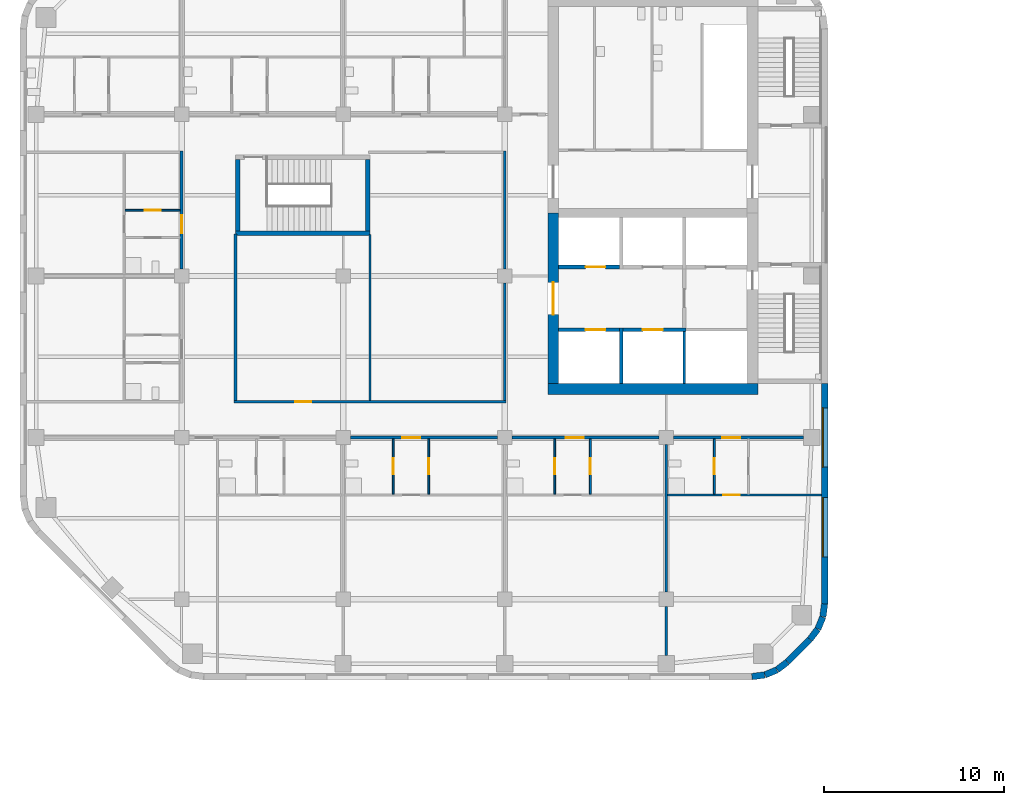
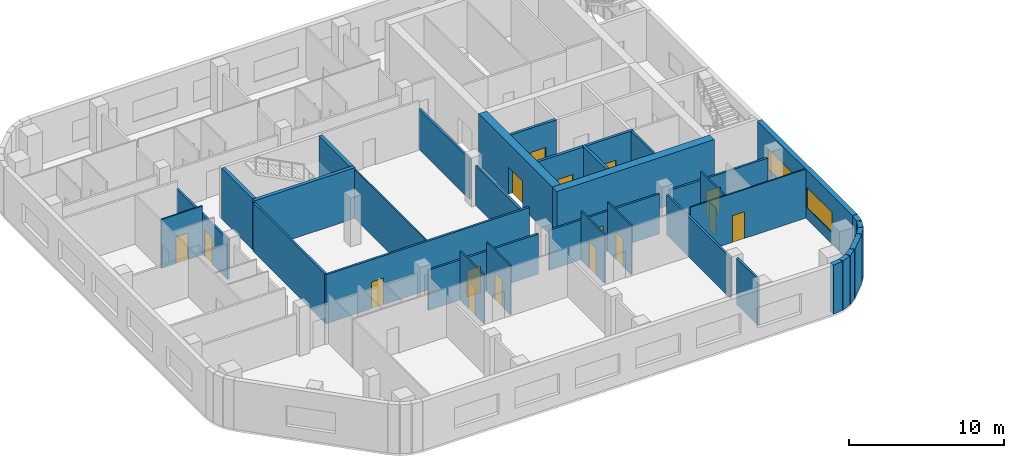
# One storey, part 6 of 16: 36 walls, 16 doors, 2 windows, 18 openings.
"""IFC4 building model written with IfcOpenShell, lengths in metres."""

from ifc_helpers import new_model, si_unit, direction, frame, frame_2d, origin, place, context, subcontext, project, spatial, rectangle, extrude, material, layer, layer_set, type_object, element, fill, save


model = new_model("IFC4")

# Units and contexts
model_context = context("Model", 3, precision=1e-05, world=origin(), true_north=direction((0.0, 1.0)))
body_context = subcontext(model_context, "Body", "Model", "MODEL_VIEW")
ifc_project = project(units=[si_unit("LENGTHUNIT", "METRE"), si_unit("AREAUNIT", "SQUARE_METRE"), si_unit("VOLUMEUNIT", "CUBIC_METRE"), si_unit("PLANEANGLEUNIT", "RADIAN"), si_unit("MASSUNIT", "GRAM", prefix="KILO")], contexts=[model_context])

# Site, building, storey
site_placement = place(None, origin())
site = spatial("IfcSite", under=ifc_project, at=site_placement, CompositionType="ELEMENT")
building_placement = place(site_placement, origin())
building = spatial("IfcBuilding", under=site, at=building_placement, Name="Cinnabar Reach Civic Tower", CompositionType="ELEMENT")
storey_placement = place(building_placement, frame((0.0, 0.0, 30.0)))
storey = spatial("IfcBuildingStorey", under=building, at=storey_placement, Name="L06", CompositionType="ELEMENT", Elevation=30.0)

# Walls
ifc_material_1 = material(Name="Facing brick with insulated backing", Category="masonry")
ifc_layer_1 = layer(ifc_material_1, 0.36)
ifc_layer_set_1 = layer_set([ifc_layer_1], Name="Brick corner wall")
wall_type_1 = type_object("IfcWallType", Name="Brick corner wall", PredefinedType="STANDARD", material=ifc_layer_set_1)
for number, where, z_axis, x_axis, name in (
    (1, (-31.2314, 4.683, 0.0), (0.0, 0.0, 1.0), (0.99144092581, 0.13055608231, 0.0), "Brick corner wall"),
    (2, (-30.5027, 4.7819, 0.0), (0.0, 0.0, 1.0), (0.923871547278, 0.382702709855, 0.0), "Brick corner wall"),
):
    element("IfcWall", number, at=place(storey_placement, frame(where, z_axis=z_axis, x_axis=x_axis)), inside=storey, type_object=wall_type_1, Name=name, PredefinedType="STANDARD", context=body_context, shape_type="SweptSolid", body=[
        extrude(rectangle(XDim=0.7131, YDim=0.36, at=frame_2d((0.3565, 0.0))), origin(), (0.0, 0.0, 1.0), 3.85),
    ])
for number, where, z_axis, x_axis, name in (
    (3, (-29.8245, 5.066, 0.0), (0.0, 0.0, 1.0), (0.793321924995, 0.608802368033, 0.0), "Brick corner wall"),
    (4, (-28.0002, 6.7587, 0.0), (0.0, 0.0, 1.0), (0.608802368033, 0.793321924995, 0.0), "Brick corner wall"),
):
    element("IfcWall", number, at=place(storey_placement, frame(where, z_axis=z_axis, x_axis=x_axis)), inside=storey, type_object=wall_type_1, Name=name, PredefinedType="STANDARD", context=body_context, shape_type="SweptSolid", body=[
        extrude(rectangle(XDim=0.7132, YDim=0.36, at=frame_2d((0.3566, 0.0))), origin(), (0.0, 0.0, 1.0), 3.85),
    ])
for number, where, z_axis, x_axis, name in (
    (5, (-27.5548, 7.3439, 0.0), (0.0, 0.0, 1.0), (0.382702709855, 0.923871547278, 0.0), "Brick corner wall"),
    (6, (-27.2761, 8.0244, 0.0), (0.0, 0.0, 1.0), (0.13055608231, 0.99144092581, 0.0), "Brick corner wall"),
):
    element("IfcWall", number, at=place(storey_placement, frame(where, z_axis=z_axis, x_axis=x_axis)), inside=storey, type_object=wall_type_1, Name=name, PredefinedType="STANDARD", context=body_context, shape_type="SweptSolid", body=[
        extrude(rectangle(XDim=0.7131, YDim=0.36, at=frame_2d((0.3565, 0.0))), origin(), (0.0, 0.0, 1.0), 3.85),
    ])
ifc_layer_2 = layer(ifc_material_1, 0.36)
ifc_layer_set_2 = layer_set([ifc_layer_2], Name="Brick pier and spandrel wall")
wall_type_2 = type_object("IfcWallType", Name="Brick pier and spandrel wall", PredefinedType="STANDARD", material=ifc_layer_set_2)
wall_1_placement = place(storey_placement, frame((-29.2486, 5.506, 0.0), z_axis=(0.0, 0.0, 1.0), x_axis=(0.707106781187, 0.707106781187, 0.0)))
element("IfcWall", 7, at=wall_1_placement, inside=storey, type_object=wall_type_2, Name="Brick facade wall", PredefinedType="STANDARD", context=body_context, shape_type="SweptSolid", body=[
    extrude(rectangle(XDim=1.7573, YDim=0.36, at=frame_2d((0.8787, 0.0))), origin(), (0.0, 0.0, 1.0), 3.85),
])

# Wall, openings, windows
wall_2_placement = place(storey_placement, frame((-27.18, 8.7426, 0.0), z_axis=(0.0, 0.0, 1.0), x_axis=(0.0, 1.0, 0.0)))
wall_2 = element("IfcWall", 8, at=wall_2_placement, inside=storey, type_object=wall_type_2, Name="Brick facade wall", PredefinedType="STANDARD", context=body_context, shape_type="SweptSolid", body=[
    extrude(rectangle(XDim=12.2574, YDim=0.36, at=frame_2d((6.1287, 0.0))), origin(), (0.0, 0.0, 1.0), 3.85),
])
opening_1_placement = place(wall_2_placement, frame((2.6074, 0.0, 0.9)))
opening_1 = element("IfcOpeningElement", 9, at=opening_1_placement, cuts=wall_2, Name="Opening W2378", PredefinedType="OPENING", context=body_context, shape_type="SweptSolid", body=[
    extrude(rectangle(XDim=3.3, YDim=1.6, at=frame_2d((1.65, 0.8))), frame((0.0, 0.19, 0.0), z_axis=(0.0, -1.0, 0.0), x_axis=(1.0, 0.0, 0.0)), (0.0, 0.0, 1.0), 0.38),
])
opening_2_placement = place(wall_2_placement, frame((7.6074, 0.0, 0.9)))
opening_2 = element("IfcOpeningElement", 10, at=opening_2_placement, cuts=wall_2, Name="Opening W2379", PredefinedType="OPENING", context=body_context, shape_type="SweptSolid", body=[
    extrude(rectangle(XDim=3.3, YDim=1.6, at=frame_2d((1.65, 0.8))), frame((0.0, 0.19, 0.0), z_axis=(0.0, -1.0, 0.0), x_axis=(1.0, 0.0, 0.0)), (0.0, 0.0, 1.0), 0.38),
])
ifc_material_2 = material(Name="Clear double glazing in aluminium frame", Category="aluminium")
window_type = type_object("IfcWindowType", Name="Deep-set window A", PartitioningType="SINGLE_PANEL", PredefinedType="WINDOW", material=ifc_material_2)
window_1_placement = place(opening_1_placement, origin())
window_1 = element("IfcWindow", 11, at=window_1_placement, inside=storey, type_object=window_type, Name="Window east face", OverallHeight=1.6, OverallWidth=3.3, PartitioningType="SINGLE_PANEL", PredefinedType="WINDOW", context=body_context, shape_type="SweptSolid", body=[
    extrude(rectangle(XDim=3.3, YDim=1.6, at=frame_2d((1.65, 0.8))), frame((0.0, 0.13, 0.0), z_axis=(0.0, -1.0, 0.0), x_axis=(1.0, 0.0, 0.0)), (0.0, 0.0, 1.0), 0.06),
])
fill(opening_1, window_1)
window_2_placement = place(opening_2_placement, origin())
window_2 = element("IfcWindow", 12, at=window_2_placement, inside=storey, type_object=window_type, Name="Window east face", OverallHeight=1.6, OverallWidth=3.3, PartitioningType="SINGLE_PANEL", PredefinedType="WINDOW", context=body_context, shape_type="SweptSolid", body=[
    extrude(rectangle(XDim=3.3, YDim=1.6, at=frame_2d((1.65, 0.8))), frame((0.0, 0.13, 0.0), z_axis=(0.0, -1.0, 0.0), x_axis=(1.0, 0.0, 0.0)), (0.0, 0.0, 1.0), 0.06),
])
fill(opening_2, window_2)

# Wall
ifc_material_3 = material(Name="Concrete C70", Category="concrete")
ifc_layer_3 = layer(ifc_material_3, 0.6)
ifc_layer_set_3 = layer_set([ifc_layer_3], Name="Core wall 600 EI 180")
wall_type_3 = type_object("IfcWallType", Name="Core wall 600 EI 180", PredefinedType="SOLIDWALL", material=ifc_layer_set_3)
wall_3_placement = place(storey_placement, frame((-42.6, 20.7, 0.0), z_axis=(0.0, 0.0, 1.0), x_axis=(1.0, 0.0, 0.0)))
element("IfcWall", 13, at=wall_3_placement, inside=storey, type_object=wall_type_3, Name="Core wall T2 L06 S", PredefinedType="SOLIDWALL", context=body_context, shape_type="SweptSolid", body=[
    extrude(rectangle(XDim=11.7, YDim=0.6, at=frame_2d((5.85, 0.0))), origin(), (0.0, 0.0, 1.0), 4.0),
])

# Wall, opening, door
wall_4_placement = place(storey_placement, frame((-42.3, 30.5, 0.0), z_axis=(0.0, 0.0, 1.0), x_axis=(0.0, -1.0, 0.0)))
wall_4 = element("IfcWall", 14, at=wall_4_placement, inside=storey, type_object=wall_type_3, Name="Core wall T2 L06 W2", PredefinedType="SOLIDWALL", context=body_context, shape_type="SweptSolid", body=[
    extrude(rectangle(XDim=9.5, YDim=0.6, at=frame_2d((4.75, 0.0))), origin(), (0.0, 0.0, 1.0), 4.0),
])
opening_3_placement = place(wall_4_placement, frame((3.85, 0.0, 0.0)))
opening_3 = element("IfcOpeningElement", 15, at=opening_3_placement, cuts=wall_4, Name="Opening D6157", PredefinedType="OPENING", context=body_context, shape_type="SweptSolid", body=[
    extrude(rectangle(XDim=1.8, YDim=2.1, at=frame_2d((0.9, 1.05))), frame((0.0, 0.31, 0.0), z_axis=(0.0, -1.0, 0.0), x_axis=(1.0, 0.0, 0.0)), (0.0, 0.0, 1.0), 0.62),
])
ifc_material_4 = material(Name="Steel fire door", Category="steel")
door_type_1 = type_object("IfcDoorType", Name="T2 Double door 1800", OperationType="DOUBLE_DOOR_SINGLE_SWING", PredefinedType="DOOR", material=ifc_material_4)
door_1_placement = place(opening_3_placement, origin())
door_1 = element("IfcDoor", 16, at=door_1_placement, inside=storey, type_object=door_type_1, Name="T2 Double door D6157", OperationType="DOUBLE_DOOR_SINGLE_SWING", OverallHeight=2.1, OverallWidth=1.8, PredefinedType="DOOR", context=body_context, shape_type="SweptSolid", body=[
    extrude(rectangle(XDim=1.8, YDim=2.1, at=frame_2d((0.9, 1.05))), frame((0.0, 0.025, 0.0), z_axis=(0.0, -1.0, 0.0), x_axis=(1.0, 0.0, 0.0)), (0.0, 0.0, 1.0), 0.05),
])
fill(opening_3, door_1)

ifc_material_5 = material(Name="Gypsum board on steel studs, double layer", Category="steel")
ifc_layer_4 = layer(ifc_material_5, 0.15)
ifc_layer_set_4 = layer_set([ifc_layer_4], Name="Corridor wall 150 T2")
wall_type_4 = type_object("IfcWallType", Name="Corridor wall 150 T2", PredefinedType="PARTITIONING", material=ifc_layer_set_4)
wall_5_placement = place(storey_placement, frame((-35.6, 18.0, 0.0), z_axis=(0.0, 0.0, 1.0), x_axis=(1.0, 0.0, 0.0)))
wall_5 = element("IfcWall", 17, at=wall_5_placement, inside=storey, type_object=wall_type_4, Name="Corridor wall 1", PredefinedType="PARTITIONING", context=body_context, shape_type="SweptSolid", body=[
    extrude(rectangle(XDim=7.25, YDim=0.15, at=frame_2d((3.625, 0.0))), origin(), (0.0, 0.0, 1.0), 3.15),
])
opening_4_placement = place(wall_5_placement, frame((2.7284, 0.0, 0.0)))
opening_4 = element("IfcOpeningElement", 18, at=opening_4_placement, cuts=wall_5, Name="Opening D6179", PredefinedType="OPENING", context=body_context, shape_type="SweptSolid", body=[
    extrude(rectangle(XDim=1.0, YDim=2.1, at=frame_2d((0.5, 1.05))), frame((0.0, 0.085, 0.0), z_axis=(0.0, -1.0, 0.0), x_axis=(1.0, 0.0, 0.0)), (0.0, 0.0, 1.0), 0.17),
])
ifc_material_6 = material(Name="Timber door leaf in steel frame", Category="steel")
door_type_2 = type_object("IfcDoorType", Name="Tenancy entrance door 1000 x 2100 T2", OperationType="SINGLE_SWING_LEFT", PredefinedType="DOOR", material=ifc_material_6)
door_2_placement = place(opening_4_placement, frame((1.0, 0.0, 0.0), z_axis=(0.0, 0.0, 1.0), x_axis=(-1.0, 0.0, 0.0)))
door_2 = element("IfcDoor", 19, at=door_2_placement, inside=storey, type_object=door_type_2, Name="Door D6179", OperationType="SINGLE_SWING_RIGHT", OverallHeight=2.1, OverallWidth=1.0, PredefinedType="DOOR", context=body_context, shape_type="SweptSolid", body=[
    extrude(rectangle(XDim=1.0, YDim=2.1, at=frame_2d((0.5, 1.05))), frame((0.0, 0.025, 0.0), z_axis=(0.0, -1.0, 0.0), x_axis=(1.0, 0.0, 0.0)), (0.0, 0.0, 1.0), 0.05),
])
fill(opening_4, door_2)

wall_6_placement = place(storey_placement, frame((-44.6, 18.0, 0.0), z_axis=(0.0, 0.0, 1.0), x_axis=(1.0, 0.0, 0.0)))
wall_6 = element("IfcWall", 20, at=wall_6_placement, inside=storey, type_object=wall_type_4, Name="Corridor wall 2", PredefinedType="PARTITIONING", context=body_context, shape_type="SweptSolid", body=[
    extrude(rectangle(XDim=8.2, YDim=0.15, at=frame_2d((4.1, 0.0))), origin(), (0.0, 0.0, 1.0), 3.15),
])
opening_5_placement = place(wall_6_placement, frame((3.0, 0.0, 0.0)))
opening_5 = element("IfcOpeningElement", 21, at=opening_5_placement, cuts=wall_6, Name="Opening D6175", PredefinedType="OPENING", context=body_context, shape_type="SweptSolid", body=[
    extrude(rectangle(XDim=1.0, YDim=2.1, at=frame_2d((0.5, 1.05))), frame((0.0, 0.085, 0.0), z_axis=(0.0, -1.0, 0.0), x_axis=(1.0, 0.0, 0.0)), (0.0, 0.0, 1.0), 0.17),
])
door_3_placement = place(opening_5_placement, frame((1.0, 0.0, 0.0), z_axis=(0.0, 0.0, 1.0), x_axis=(-1.0, 0.0, 0.0)))
door_3 = element("IfcDoor", 22, at=door_3_placement, inside=storey, type_object=door_type_2, Name="Door D6175", OperationType="SINGLE_SWING_LEFT", OverallHeight=2.1, OverallWidth=1.0, PredefinedType="DOOR", context=body_context, shape_type="SweptSolid", body=[
    extrude(rectangle(XDim=1.0, YDim=2.1, at=frame_2d((0.5, 1.05))), frame((0.0, 0.025, 0.0), z_axis=(0.0, -1.0, 0.0), x_axis=(1.0, 0.0, 0.0)), (0.0, 0.0, 1.0), 0.05),
])
fill(opening_5, door_3)

wall_7_placement = place(storey_placement, frame((-53.6, 18.0, 0.0), z_axis=(0.0, 0.0, 1.0), x_axis=(1.0, 0.0, 0.0)))
wall_7 = element("IfcWall", 23, at=wall_7_placement, inside=storey, type_object=wall_type_4, Name="Corridor wall 3", PredefinedType="PARTITIONING", context=body_context, shape_type="SweptSolid", body=[
    extrude(rectangle(XDim=8.2, YDim=0.15, at=frame_2d((4.1, 0.0))), origin(), (0.0, 0.0, 1.0), 3.15),
])
opening_6_placement = place(wall_7_placement, frame((2.89, 0.0, 0.0)))
opening_6 = element("IfcOpeningElement", 24, at=opening_6_placement, cuts=wall_7, Name="Opening D6171", PredefinedType="OPENING", context=body_context, shape_type="SweptSolid", body=[
    extrude(rectangle(XDim=1.0, YDim=2.1, at=frame_2d((0.5, 1.05))), frame((0.0, 0.085, 0.0), z_axis=(0.0, -1.0, 0.0), x_axis=(1.0, 0.0, 0.0)), (0.0, 0.0, 1.0), 0.17),
])
door_4_placement = place(opening_6_placement, frame((1.0, 0.0, 0.0), z_axis=(0.0, 0.0, 1.0), x_axis=(-1.0, 0.0, 0.0)))
door_4 = element("IfcDoor", 25, at=door_4_placement, inside=storey, type_object=door_type_2, Name="Door D6171", OperationType="SINGLE_SWING_LEFT", OverallHeight=2.1, OverallWidth=1.0, PredefinedType="DOOR", context=body_context, shape_type="SweptSolid", body=[
    extrude(rectangle(XDim=1.0, YDim=2.1, at=frame_2d((0.5, 1.05))), frame((0.0, 0.025, 0.0), z_axis=(0.0, -1.0, 0.0), x_axis=(1.0, 0.0, 0.0)), (0.0, 0.0, 1.0), 0.05),
])
fill(opening_6, door_4)

wall_8_placement = place(storey_placement, frame((-60.075, 20.0, 0.0), z_axis=(0.0, 0.0, 1.0), x_axis=(1.0, 0.0, 0.0)))
wall_8 = element("IfcWall", 26, at=wall_8_placement, inside=storey, type_object=wall_type_4, Name="Corridor wall 10", PredefinedType="PARTITIONING", context=body_context, shape_type="SweptSolid", body=[
    extrude(rectangle(XDim=15.15, YDim=0.15, at=frame_2d((7.575, 0.0))), origin(), (0.0, 0.0, 1.0), 3.85),
])
opening_7_placement = place(wall_8_placement, frame((3.4, 0.0, 0.0)))
opening_7 = element("IfcOpeningElement", 27, at=opening_7_placement, cuts=wall_8, Name="Opening D6201", PredefinedType="OPENING", context=body_context, shape_type="SweptSolid", body=[
    extrude(rectangle(XDim=0.9, YDim=2.1, at=frame_2d((0.45, 1.05))), frame((0.0, 0.085, 0.0), z_axis=(0.0, -1.0, 0.0), x_axis=(1.0, 0.0, 0.0)), (0.0, 0.0, 1.0), 0.17),
])
door_type_3 = type_object("IfcDoorType", Name="Single swing door 900 x 2100 T2", OperationType="SINGLE_SWING_LEFT", PredefinedType="DOOR", material=ifc_material_6)
door_5_placement = place(opening_7_placement, origin())
door_5 = element("IfcDoor", 28, at=door_5_placement, inside=storey, type_object=door_type_3, Name="Door D6201", OperationType="SINGLE_SWING_LEFT", OverallHeight=2.1, OverallWidth=0.9, PredefinedType="DOOR", context=body_context, shape_type="SweptSolid", body=[
    extrude(rectangle(XDim=0.9, YDim=2.1, at=frame_2d((0.45, 1.05))), frame((0.0, 0.025, 0.0), z_axis=(0.0, -1.0, 0.0), x_axis=(1.0, 0.0, 0.0)), (0.0, 0.0, 1.0), 0.05),
])
fill(opening_7, door_5)

wall_9_placement = place(storey_placement, frame((-63.0, 27.4, 0.0), z_axis=(0.0, 0.0, 1.0), x_axis=(0.0, 1.0, 0.0)))
wall_9 = element("IfcWall", 29, at=wall_9_placement, inside=storey, type_object=wall_type_4, Name="Corridor wall 12", PredefinedType="PARTITIONING", context=body_context, shape_type="SweptSolid", body=[
    extrude(rectangle(XDim=6.575, YDim=0.15, at=frame_2d((3.2875, 0.0))), origin(), (0.0, 0.0, 1.0), 3.158),
])
opening_8_placement = place(wall_9_placement, frame((1.989, 0.0, 0.0)))
opening_8 = element("IfcOpeningElement", 30, at=opening_8_placement, cuts=wall_9, Name="Opening D6200", PredefinedType="OPENING", context=body_context, shape_type="SweptSolid", body=[
    extrude(rectangle(XDim=1.0, YDim=2.1, at=frame_2d((0.5, 1.05))), frame((0.0, 0.085, 0.0), z_axis=(0.0, -1.0, 0.0), x_axis=(1.0, 0.0, 0.0)), (0.0, 0.0, 1.0), 0.17),
])
door_6_placement = place(opening_8_placement, origin())
door_6 = element("IfcDoor", 31, at=door_6_placement, inside=storey, type_object=door_type_2, Name="Door D6200", OperationType="SINGLE_SWING_RIGHT", OverallHeight=2.1, OverallWidth=1.0, PredefinedType="DOOR", context=body_context, shape_type="SweptSolid", body=[
    extrude(rectangle(XDim=1.0, YDim=2.1, at=frame_2d((0.5, 1.05))), frame((0.0, 0.025, 0.0), z_axis=(0.0, -1.0, 0.0), x_axis=(1.0, 0.0, 0.0)), (0.0, 0.0, 1.0), 0.05),
])
fill(opening_8, door_6)

# Walls
wall_10_placement = place(storey_placement, frame((-45.0, 20.075, 0.0), z_axis=(0.0, 0.0, 1.0), x_axis=(0.0, 1.0, 0.0)))
element("IfcWall", 32, at=wall_10_placement, inside=storey, type_object=wall_type_4, Name="Corridor wall 13", PredefinedType="PARTITIONING", context=body_context, shape_type="SweptSolid", body=[
    extrude(rectangle(XDim=6.525, YDim=0.15, at=frame_2d((3.2625, 0.0))), origin(), (0.0, 0.0, 1.0), 3.158),
])
wall_11_placement = place(storey_placement, frame((-45.0, 27.4, 0.0), z_axis=(0.0, 0.0, 1.0), x_axis=(0.0, 1.0, 0.0)))
element("IfcWall", 33, at=wall_11_placement, inside=storey, type_object=wall_type_4, Name="Corridor wall 14", PredefinedType="PARTITIONING", context=body_context, shape_type="SweptSolid", body=[
    extrude(rectangle(XDim=6.575, YDim=0.15, at=frame_2d((3.2875, 0.0))), origin(), (0.0, 0.0, 1.0), 3.158),
])
wall_12_placement = place(storey_placement, frame((-60.0, 20.075, 0.0), z_axis=(0.0, 0.0, 1.0), x_axis=(0.0, 1.0, 0.0)))
element("IfcWall", 34, at=wall_12_placement, inside=storey, type_object=wall_type_4, Name="Corridor wall 15", PredefinedType="PARTITIONING", context=body_context, shape_type="SweptSolid", body=[
    extrude(rectangle(XDim=9.25, YDim=0.15, at=frame_2d((4.625, 0.0))), origin(), (0.0, 0.0, 1.0), 3.85),
])

# Wall, opening, door
ifc_material_7 = material(Name="Gypsum board on steel studs", Category="steel")
ifc_layer_5 = layer(ifc_material_7, 0.1)
ifc_layer_set_5 = layer_set([ifc_layer_5], Name="Partition wall 100 T2")
wall_type_5 = type_object("IfcWallType", Name="Partition wall 100 T2", PredefinedType="PARTITIONING", material=ifc_layer_set_5)
wall_13_placement = place(storey_placement, frame((-35.925, 14.8, 0.0), z_axis=(0.0, 0.0, 1.0), x_axis=(1.0, 0.0, 0.0)))
wall_13 = element("IfcWall", 35, at=wall_13_placement, inside=storey, type_object=wall_type_5, Name="Partition wall 31", PredefinedType="PARTITIONING", context=body_context, shape_type="SweptSolid", body=[
    extrude(rectangle(XDim=8.565, YDim=0.1, at=frame_2d((4.2825, 0.0))), origin(), (0.0, 0.0, 1.0), 3.85),
])
opening_9_placement = place(wall_13_placement, frame((3.1034, 0.0, 0.0)))
opening_9 = element("IfcOpeningElement", 36, at=opening_9_placement, cuts=wall_13, Name="Opening D6178", PredefinedType="OPENING", context=body_context, shape_type="SweptSolid", body=[
    extrude(rectangle(XDim=0.9, YDim=2.1, at=frame_2d((0.45, 1.05))), frame((0.0, 0.06, 0.0), z_axis=(0.0, -1.0, 0.0), x_axis=(1.0, 0.0, 0.0)), (0.0, 0.0, 1.0), 0.12),
])
door_7_placement = place(opening_9_placement, origin())
door_7 = element("IfcDoor", 37, at=door_7_placement, inside=storey, type_object=door_type_3, Name="Door D6178", OperationType="SINGLE_SWING_LEFT", OverallHeight=2.1, OverallWidth=0.9, PredefinedType="DOOR", context=body_context, shape_type="SweptSolid", body=[
    extrude(rectangle(XDim=0.9, YDim=2.1, at=frame_2d((0.45, 1.05))), frame((0.0, 0.025, 0.0), z_axis=(0.0, -1.0, 0.0), x_axis=(1.0, 0.0, 0.0)), (0.0, 0.0, 1.0), 0.05),
])
fill(opening_9, door_7)

# Wall
wall_14_placement = place(storey_placement, frame((-52.5, 20.075, 0.0), z_axis=(0.0, 0.0, 1.0), x_axis=(0.0, 1.0, 0.0)))
element("IfcWall", 38, at=wall_14_placement, inside=storey, type_object=wall_type_5, Name="Partition wall 39", PredefinedType="PARTITIONING", context=body_context, shape_type="SweptSolid", body=[
    extrude(rectangle(XDim=9.225, YDim=0.1, at=frame_2d((4.6125, 0.0))), origin(), (0.0, 0.0, 1.0), 3.85),
])

# Wall, opening, door
wall_15_placement = place(storey_placement, frame((-66.15, 30.657, 0.0), z_axis=(0.0, 0.0, 1.0), x_axis=(1.0, 0.0, 0.0)))
wall_15 = element("IfcWall", 39, at=wall_15_placement, inside=storey, type_object=wall_type_5, Name="Partition wall 46", PredefinedType="PARTITIONING", context=body_context, shape_type="SweptSolid", body=[
    extrude(rectangle(XDim=3.075, YDim=0.1, at=frame_2d((1.5375, 0.0))), origin(), (0.0, 0.0, 1.0), 3.85),
])
opening_10_placement = place(wall_15_placement, frame((1.1, 0.0, 0.0)))
opening_10 = element("IfcOpeningElement", 40, at=opening_10_placement, cuts=wall_15, Name="Opening D6198", PredefinedType="OPENING", context=body_context, shape_type="SweptSolid", body=[
    extrude(rectangle(XDim=0.9, YDim=2.1, at=frame_2d((0.45, 1.05))), frame((0.0, 0.06, 0.0), z_axis=(0.0, -1.0, 0.0), x_axis=(1.0, 0.0, 0.0)), (0.0, 0.0, 1.0), 0.12),
])
door_8_placement = place(opening_10_placement, frame((0.9, 0.0, 0.0), z_axis=(0.0, 0.0, 1.0), x_axis=(-1.0, 0.0, 0.0)))
door_8 = element("IfcDoor", 41, at=door_8_placement, inside=storey, type_object=door_type_3, Name="Door D6198", OperationType="SINGLE_SWING_RIGHT", OverallHeight=2.1, OverallWidth=0.9, PredefinedType="DOOR", context=body_context, shape_type="SweptSolid", body=[
    extrude(rectangle(XDim=0.9, YDim=2.1, at=frame_2d((0.45, 1.05))), frame((0.0, 0.025, 0.0), z_axis=(0.0, -1.0, 0.0), x_axis=(1.0, 0.0, 0.0)), (0.0, 0.0, 1.0), 0.05),
])
fill(opening_10, door_8)

wall_16_placement = place(storey_placement, frame((-51.21, 14.85, 0.0), z_axis=(0.0, 0.0, 1.0), x_axis=(0.0, 1.0, 0.0)))
wall_16 = element("IfcWall", 42, at=wall_16_placement, inside=storey, type_object=wall_type_5, Name="Partition wall 55", PredefinedType="PARTITIONING", context=body_context, shape_type="SweptSolid", body=[
    extrude(rectangle(XDim=3.075, YDim=0.1, at=frame_2d((1.5375, 0.0))), origin(), (0.0, 0.0, 1.0), 3.85),
])
opening_11_placement = place(wall_16_placement, frame((1.1, 0.0, 0.0)))
opening_11 = element("IfcOpeningElement", 43, at=opening_11_placement, cuts=wall_16, Name="Opening D6168", PredefinedType="OPENING", context=body_context, shape_type="SweptSolid", body=[
    extrude(rectangle(XDim=0.9, YDim=2.1, at=frame_2d((0.45, 1.05))), frame((0.0, 0.06, 0.0), z_axis=(0.0, -1.0, 0.0), x_axis=(1.0, 0.0, 0.0)), (0.0, 0.0, 1.0), 0.12),
])
door_9_placement = place(opening_11_placement, origin())
door_9 = element("IfcDoor", 44, at=door_9_placement, inside=storey, type_object=door_type_3, Name="Door D6168", OperationType="SINGLE_SWING_LEFT", OverallHeight=2.1, OverallWidth=0.9, PredefinedType="DOOR", context=body_context, shape_type="SweptSolid", body=[
    extrude(rectangle(XDim=0.9, YDim=2.1, at=frame_2d((0.45, 1.05))), frame((0.0, 0.025, 0.0), z_axis=(0.0, -1.0, 0.0), x_axis=(1.0, 0.0, 0.0)), (0.0, 0.0, 1.0), 0.05),
])
fill(opening_11, door_9)

wall_17_placement = place(storey_placement, frame((-49.23, 14.85, 0.0), z_axis=(0.0, 0.0, 1.0), x_axis=(0.0, 1.0, 0.0)))
wall_17 = element("IfcWall", 45, at=wall_17_placement, inside=storey, type_object=wall_type_5, Name="Partition wall 56", PredefinedType="PARTITIONING", context=body_context, shape_type="SweptSolid", body=[
    extrude(rectangle(XDim=3.075, YDim=0.1, at=frame_2d((1.5375, 0.0))), origin(), (0.0, 0.0, 1.0), 3.85),
])
opening_12_placement = place(wall_17_placement, frame((1.1, 0.0, 0.0)))
opening_12 = element("IfcOpeningElement", 46, at=opening_12_placement, cuts=wall_17, Name="Opening D6169", PredefinedType="OPENING", context=body_context, shape_type="SweptSolid", body=[
    extrude(rectangle(XDim=0.9, YDim=2.1, at=frame_2d((0.45, 1.05))), frame((0.0, 0.06, 0.0), z_axis=(0.0, -1.0, 0.0), x_axis=(1.0, 0.0, 0.0)), (0.0, 0.0, 1.0), 0.12),
])
door_10_placement = place(opening_12_placement, origin())
door_10 = element("IfcDoor", 47, at=door_10_placement, inside=storey, type_object=door_type_3, Name="Door D6169", OperationType="SINGLE_SWING_LEFT", OverallHeight=2.1, OverallWidth=0.9, PredefinedType="DOOR", context=body_context, shape_type="SweptSolid", body=[
    extrude(rectangle(XDim=0.9, YDim=2.1, at=frame_2d((0.45, 1.05))), frame((0.0, 0.025, 0.0), z_axis=(0.0, -1.0, 0.0), x_axis=(1.0, 0.0, 0.0)), (0.0, 0.0, 1.0), 0.05),
])
fill(opening_12, door_10)

wall_18_placement = place(storey_placement, frame((-42.21, 14.85, 0.0), z_axis=(0.0, 0.0, 1.0), x_axis=(0.0, 1.0, 0.0)))
wall_18 = element("IfcWall", 48, at=wall_18_placement, inside=storey, type_object=wall_type_5, Name="Partition wall 57", PredefinedType="PARTITIONING", context=body_context, shape_type="SweptSolid", body=[
    extrude(rectangle(XDim=3.075, YDim=0.1, at=frame_2d((1.5375, 0.0))), origin(), (0.0, 0.0, 1.0), 3.85),
])
opening_13_placement = place(wall_18_placement, frame((1.1, 0.0, 0.0)))
opening_13 = element("IfcOpeningElement", 49, at=opening_13_placement, cuts=wall_18, Name="Opening D6172", PredefinedType="OPENING", context=body_context, shape_type="SweptSolid", body=[
    extrude(rectangle(XDim=0.9, YDim=2.1, at=frame_2d((0.45, 1.05))), frame((0.0, 0.06, 0.0), z_axis=(0.0, -1.0, 0.0), x_axis=(1.0, 0.0, 0.0)), (0.0, 0.0, 1.0), 0.12),
])
door_11_placement = place(opening_13_placement, origin())
door_11 = element("IfcDoor", 50, at=door_11_placement, inside=storey, type_object=door_type_3, Name="Door D6172", OperationType="SINGLE_SWING_LEFT", OverallHeight=2.1, OverallWidth=0.9, PredefinedType="DOOR", context=body_context, shape_type="SweptSolid", body=[
    extrude(rectangle(XDim=0.9, YDim=2.1, at=frame_2d((0.45, 1.05))), frame((0.0, 0.025, 0.0), z_axis=(0.0, -1.0, 0.0), x_axis=(1.0, 0.0, 0.0)), (0.0, 0.0, 1.0), 0.05),
])
fill(opening_13, door_11)

wall_19_placement = place(storey_placement, frame((-40.23, 14.85, 0.0), z_axis=(0.0, 0.0, 1.0), x_axis=(0.0, 1.0, 0.0)))
wall_19 = element("IfcWall", 51, at=wall_19_placement, inside=storey, type_object=wall_type_5, Name="Partition wall 58", PredefinedType="PARTITIONING", context=body_context, shape_type="SweptSolid", body=[
    extrude(rectangle(XDim=3.075, YDim=0.1, at=frame_2d((1.5375, 0.0))), origin(), (0.0, 0.0, 1.0), 3.85),
])
opening_14_placement = place(wall_19_placement, frame((1.1, 0.0, 0.0)))
opening_14 = element("IfcOpeningElement", 52, at=opening_14_placement, cuts=wall_19, Name="Opening D6173", PredefinedType="OPENING", context=body_context, shape_type="SweptSolid", body=[
    extrude(rectangle(XDim=0.9, YDim=2.1, at=frame_2d((0.45, 1.05))), frame((0.0, 0.06, 0.0), z_axis=(0.0, -1.0, 0.0), x_axis=(1.0, 0.0, 0.0)), (0.0, 0.0, 1.0), 0.12),
])
door_12_placement = place(opening_14_placement, origin())
door_12 = element("IfcDoor", 53, at=door_12_placement, inside=storey, type_object=door_type_3, Name="Door D6173", OperationType="SINGLE_SWING_RIGHT", OverallHeight=2.1, OverallWidth=0.9, PredefinedType="DOOR", context=body_context, shape_type="SweptSolid", body=[
    extrude(rectangle(XDim=0.9, YDim=2.1, at=frame_2d((0.45, 1.05))), frame((0.0, 0.025, 0.0), z_axis=(0.0, -1.0, 0.0), x_axis=(1.0, 0.0, 0.0)), (0.0, 0.0, 1.0), 0.05),
])
fill(opening_14, door_12)

wall_20_placement = place(storey_placement, frame((-33.3216, 14.85, 0.0), z_axis=(0.0, 0.0, 1.0), x_axis=(0.0, 1.0, 0.0)))
wall_20 = element("IfcWall", 54, at=wall_20_placement, inside=storey, type_object=wall_type_5, Name="Partition wall 59", PredefinedType="PARTITIONING", context=body_context, shape_type="SweptSolid", body=[
    extrude(rectangle(XDim=3.075, YDim=0.1, at=frame_2d((1.5375, 0.0))), origin(), (0.0, 0.0, 1.0), 3.85),
])
opening_15_placement = place(wall_20_placement, frame((1.1, 0.0, 0.0)))
opening_15 = element("IfcOpeningElement", 55, at=opening_15_placement, cuts=wall_20, Name="Opening D6176", PredefinedType="OPENING", context=body_context, shape_type="SweptSolid", body=[
    extrude(rectangle(XDim=0.9, YDim=2.1, at=frame_2d((0.45, 1.05))), frame((0.0, 0.06, 0.0), z_axis=(0.0, -1.0, 0.0), x_axis=(1.0, 0.0, 0.0)), (0.0, 0.0, 1.0), 0.12),
])
door_13_placement = place(opening_15_placement, origin())
door_13 = element("IfcDoor", 56, at=door_13_placement, inside=storey, type_object=door_type_3, Name="Door D6176", OperationType="SINGLE_SWING_RIGHT", OverallHeight=2.1, OverallWidth=0.9, PredefinedType="DOOR", context=body_context, shape_type="SweptSolid", body=[
    extrude(rectangle(XDim=0.9, YDim=2.1, at=frame_2d((0.45, 1.05))), frame((0.0, 0.025, 0.0), z_axis=(0.0, -1.0, 0.0), x_axis=(1.0, 0.0, 0.0)), (0.0, 0.0, 1.0), 0.05),
])
fill(opening_15, door_13)

# Walls
ifc_material_8 = material(Name="Concrete C60", Category="concrete")
ifc_layer_6 = layer(ifc_material_8, 0.25)
ifc_layer_set_6 = layer_set([ifc_layer_6], Name="Stair shaft wall 250 EI 120")
wall_type_6 = type_object("IfcWallType", Name="Stair shaft wall 250 EI 120", PredefinedType="SOLIDWALL", material=ifc_layer_set_6)
wall_21_placement = place(storey_placement, frame((-60.0, 29.375, 0.0), z_axis=(0.0, 0.0, 1.0), x_axis=(1.0, 0.0, 0.0)))
element("IfcWall", 57, at=wall_21_placement, inside=storey, type_object=wall_type_6, Name="Stair shaft wall T2-S3 L06", PredefinedType="SOLIDWALL", context=body_context, shape_type="SweptSolid", body=[
    extrude(rectangle(XDim=7.5, YDim=0.25, at=frame_2d((3.75, 0.0))), origin(), (0.0, 0.0, 1.0), 4.0),
])
for number, where, z_axis, x_axis, name in (
    (58, (-52.625, 29.5, 0.0), (0.0, 0.0, 1.0), (0.0, 1.0, 0.0), "Stair shaft wall T2-S3 L06"),
    (59, (-59.875, 33.5, 0.0), (0.0, 0.0, 1.0), (0.0, -1.0, 0.0), "Stair shaft wall T2-S3 L06"),
):
    element("IfcWall", number, at=place(storey_placement, frame(where, z_axis=z_axis, x_axis=x_axis)), inside=storey, type_object=wall_type_6, Name=name, PredefinedType="SOLIDWALL", context=body_context, shape_type="SweptSolid", body=[
        extrude(rectangle(XDim=4.0, YDim=0.25, at=frame_2d((2.0, 0.0))), origin(), (0.0, 0.0, 1.0), 4.0),
    ])
ifc_material_9 = material(Name="Concrete C40", Category="concrete")
ifc_layer_7 = layer(ifc_material_9, 0.15)
ifc_layer_set_7 = layer_set([ifc_layer_7], Name="T2 Riser wall 150")
wall_type_7 = type_object("IfcWallType", Name="T2 Riser wall 150", PredefinedType="SOLIDWALL", material=ifc_layer_set_7)
wall_22_placement = place(storey_placement, frame((-35.0, 21.0, 0.0), z_axis=(0.0, 0.0, 1.0), x_axis=(0.0, 1.0, 0.0)))
element("IfcWall", 60, at=wall_22_placement, inside=storey, type_object=wall_type_7, Name="T2 Riser wall L06 010", PredefinedType="SOLIDWALL", context=body_context, shape_type="SweptSolid", body=[
    extrude(rectangle(XDim=2.9, YDim=0.15, at=frame_2d((1.45, 0.0))), origin(), (0.0, 0.0, 1.0), 4.0),
])
ifc_layer_8 = layer(ifc_material_9, 0.2)
ifc_layer_set_8 = layer_set([ifc_layer_8], Name="T2 Shaft wall 200")
wall_type_8 = type_object("IfcWallType", Name="T2 Shaft wall 200", PredefinedType="SOLIDWALL", material=ifc_layer_set_8)
wall_23_placement = place(storey_placement, frame((-38.5, 21.0, 0.0), z_axis=(0.0, 0.0, 1.0), x_axis=(0.0, 1.0, 0.0)))
element("IfcWall", 61, at=wall_23_placement, inside=storey, type_object=wall_type_8, Name="T2 Shaft wall L06 001", PredefinedType="SOLIDWALL", context=body_context, shape_type="SweptSolid", body=[
    extrude(rectangle(XDim=3.1, YDim=0.2, at=frame_2d((1.55, 0.0))), origin(), (0.0, 0.0, 1.0), 4.0),
])

# Wall, opening, door
wall_24_placement = place(storey_placement, frame((-38.6, 24.0, 0.0), z_axis=(0.0, 0.0, 1.0), x_axis=(-1.0, 0.0, 0.0)))
wall_24 = element("IfcWall", 62, at=wall_24_placement, inside=storey, type_object=wall_type_8, Name="T2 Shaft wall L06 002", PredefinedType="SOLIDWALL", context=body_context, shape_type="SweptSolid", body=[
    extrude(rectangle(XDim=3.4, YDim=0.2, at=frame_2d((1.7, 0.0))), origin(), (0.0, 0.0, 1.0), 4.0),
])
opening_16_placement = place(wall_24_placement, frame((0.8, 0.0, 0.0)))
opening_16 = element("IfcOpeningElement", 63, at=opening_16_placement, cuts=wall_24, Name="Opening D6147", PredefinedType="OPENING", context=body_context, shape_type="SweptSolid", body=[
    extrude(rectangle(XDim=1.1, YDim=2.1, at=frame_2d((0.55, 1.05))), frame((0.0, 0.11, 0.0), z_axis=(0.0, -1.0, 0.0), x_axis=(1.0, 0.0, 0.0)), (0.0, 0.0, 1.0), 0.22),
])
door_type_4 = type_object("IfcDoorType", Name="T2 Lift landing door 1100", OperationType="SLIDING_TO_LEFT", PredefinedType="DOOR", material=ifc_material_4)
door_14_placement = place(opening_16_placement, origin())
door_14 = element("IfcDoor", 64, at=door_14_placement, inside=storey, type_object=door_type_4, Name="T2 Lift landing door D6147", OperationType="SLIDING_TO_LEFT", OverallHeight=2.1, OverallWidth=1.1, PredefinedType="DOOR", context=body_context, shape_type="SweptSolid", body=[
    extrude(rectangle(XDim=1.1, YDim=2.1, at=frame_2d((0.55, 1.05))), frame((0.0, 0.025, 0.0), z_axis=(0.0, -1.0, 0.0), x_axis=(1.0, 0.0, 0.0)), (0.0, 0.0, 1.0), 0.05),
])
fill(opening_16, door_14)

wall_25_placement = place(storey_placement, frame((-34.9, 24.0, 0.0), z_axis=(0.0, 0.0, 1.0), x_axis=(-1.0, 0.0, 0.0)))
wall_25 = element("IfcWall", 65, at=wall_25_placement, inside=storey, type_object=wall_type_8, Name="T2 Shaft wall L06 003", PredefinedType="SOLIDWALL", context=body_context, shape_type="SweptSolid", body=[
    extrude(rectangle(XDim=3.5, YDim=0.2, at=frame_2d((1.75, 0.0))), origin(), (0.0, 0.0, 1.0), 4.0),
])
opening_17_placement = place(wall_25_placement, frame((1.3, 0.0, 0.0)))
opening_17 = element("IfcOpeningElement", 66, at=opening_17_placement, cuts=wall_25, Name="Opening D6148", PredefinedType="OPENING", context=body_context, shape_type="SweptSolid", body=[
    extrude(rectangle(XDim=1.1, YDim=2.1, at=frame_2d((0.55, 1.05))), frame((0.0, 0.11, 0.0), z_axis=(0.0, -1.0, 0.0), x_axis=(1.0, 0.0, 0.0)), (0.0, 0.0, 1.0), 0.22),
])
door_15_placement = place(opening_17_placement, origin())
door_15 = element("IfcDoor", 67, at=door_15_placement, inside=storey, type_object=door_type_4, Name="T2 Lift landing door D6148", OperationType="SLIDING_TO_LEFT", OverallHeight=2.1, OverallWidth=1.1, PredefinedType="DOOR", context=body_context, shape_type="SweptSolid", body=[
    extrude(rectangle(XDim=1.1, YDim=2.1, at=frame_2d((0.55, 1.05))), frame((0.0, 0.025, 0.0), z_axis=(0.0, -1.0, 0.0), x_axis=(1.0, 0.0, 0.0)), (0.0, 0.0, 1.0), 0.05),
])
fill(opening_17, door_15)

wall_26_placement = place(storey_placement, frame((-42.0, 27.5, 0.0), z_axis=(0.0, 0.0, 1.0), x_axis=(1.0, 0.0, 0.0)))
wall_26 = element("IfcWall", 68, at=wall_26_placement, inside=storey, type_object=wall_type_8, Name="T2 Shaft wall L06 005", PredefinedType="SOLIDWALL", context=body_context, shape_type="SweptSolid", body=[
    extrude(rectangle(XDim=3.4, YDim=0.2, at=frame_2d((1.7, 0.0))), origin(), (0.0, 0.0, 1.0), 4.0),
])
opening_18_placement = place(wall_26_placement, frame((1.5, 0.0, 0.0)))
opening_18 = element("IfcOpeningElement", 69, at=opening_18_placement, cuts=wall_26, Name="Opening D6149", PredefinedType="OPENING", context=body_context, shape_type="SweptSolid", body=[
    extrude(rectangle(XDim=1.1, YDim=2.1, at=frame_2d((0.55, 1.05))), frame((0.0, 0.11, 0.0), z_axis=(0.0, -1.0, 0.0), x_axis=(1.0, 0.0, 0.0)), (0.0, 0.0, 1.0), 0.22),
])
door_16_placement = place(opening_18_placement, origin())
door_16 = element("IfcDoor", 70, at=door_16_placement, inside=storey, type_object=door_type_4, Name="T2 Lift landing door D6149", OperationType="SLIDING_TO_LEFT", OverallHeight=2.1, OverallWidth=1.1, PredefinedType="DOOR", context=body_context, shape_type="SweptSolid", body=[
    extrude(rectangle(XDim=1.1, YDim=2.1, at=frame_2d((0.55, 1.05))), frame((0.0, 0.025, 0.0), z_axis=(0.0, -1.0, 0.0), x_axis=(1.0, 0.0, 0.0)), (0.0, 0.0, 1.0), 0.05),
])
fill(opening_18, door_16)

# Walls
ifc_layer_9 = layer(ifc_material_5, 0.15)
ifc_layer_set_9 = layer_set([ifc_layer_9], Name="Tenancy separating wall 150 T2")
wall_type_9 = type_object("IfcWallType", Name="Tenancy separating wall 150 T2", PredefinedType="PARTITIONING", material=ifc_layer_set_9)
wall_27_placement = place(storey_placement, frame((-36.0, 9.4, 0.0), z_axis=(0.0, 0.0, 1.0), x_axis=(0.0, 1.0, 0.0)))
element("IfcWall", 71, at=wall_27_placement, inside=storey, type_object=wall_type_9, Name="Tenancy separating wall 23", PredefinedType="PARTITIONING", context=body_context, shape_type="SweptSolid", body=[
    extrude(rectangle(XDim=8.2, YDim=0.15, at=frame_2d((4.1, 0.0))), origin(), (0.0, 0.0, 1.0), 3.158),
])
wall_28_placement = place(storey_placement, frame((-36.0, 5.85, 0.0), z_axis=(0.0, 0.0, 1.0), x_axis=(0.0, 1.0, 0.0)))
element("IfcWall", 72, at=wall_28_placement, inside=storey, type_object=wall_type_9, Name="Tenancy separating wall 24", PredefinedType="PARTITIONING", context=body_context, shape_type="SweptSolid", body=[
    extrude(rectangle(XDim=2.75, YDim=0.15, at=frame_2d((1.375, 0.0))), origin(), (0.0, 0.0, 1.0), 3.652),
])

save(model, "model.ifc")
